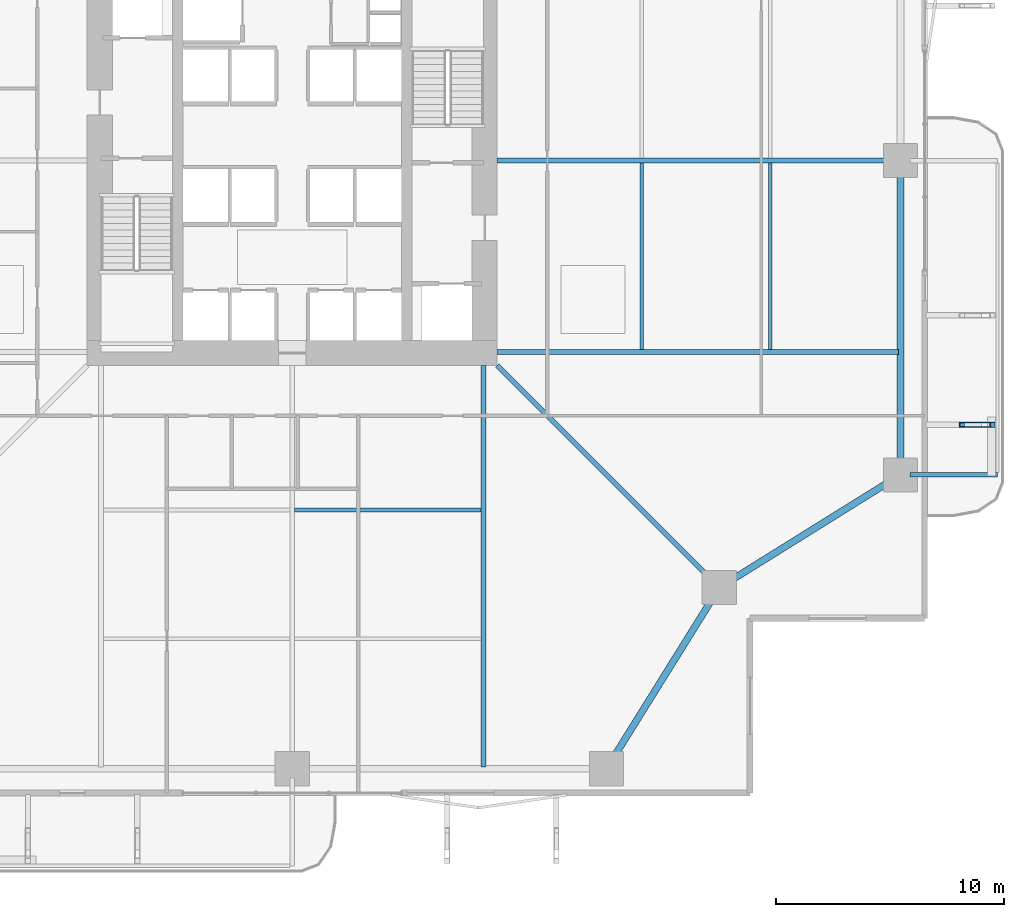
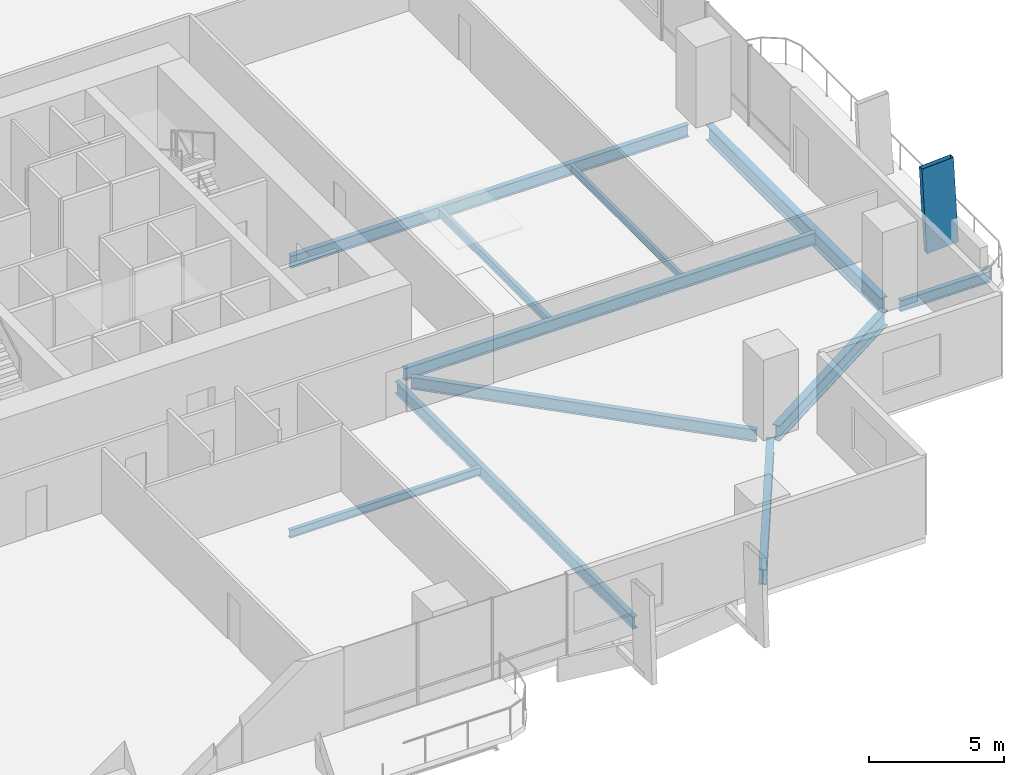
# One storey, part 7 of 23: 11 beams, 1 member.
"""IFC4 building model written with IfcOpenShell, lengths in metres."""

from ifc_helpers import new_model, si_unit, direction, frame, origin, origin_2d, place, context, subcontext, project, spatial, hollow_rectangle, i_section, extrude, material, material_profile, profile_set, type_object, element, save


model = new_model("IFC4")

# Units and contexts
model_context = context("Model", 3, precision=1e-05, world=origin(), true_north=direction((0.0, 1.0)))
body_context = subcontext(model_context, "Body", "Model", "MODEL_VIEW")
ifc_project = project(units=[si_unit("LENGTHUNIT", "METRE"), si_unit("AREAUNIT", "SQUARE_METRE"), si_unit("VOLUMEUNIT", "CUBIC_METRE"), si_unit("PLANEANGLEUNIT", "RADIAN"), si_unit("MASSUNIT", "GRAM", prefix="KILO")], contexts=[model_context])

# Site, building, storey
site_placement = place(None, origin())
site = spatial("IfcSite", under=ifc_project, at=site_placement, CompositionType="ELEMENT")
building_placement = place(site_placement, origin())
building = spatial("IfcBuilding", under=site, at=building_placement, Name="Belovzor Exchange Tower", CompositionType="ELEMENT")
storey_placement = place(building_placement, frame((0.0, 0.0, 53.39990234375)))
storey = spatial("IfcBuildingStorey", under=building, at=storey_placement, Name="L12", CompositionType="ELEMENT", Elevation=53.39990234375)

# Member
ifc_material_1 = material(Name="Extruded Architectural Terracotta on Steel S355 Carrier", Category="masonry")
ifc_material_profile_1 = material_profile(ifc_material_1, hollow_rectangle(XDim=0.219970703125, YDim=1.35009765625, WallThickness=0.013916015625, at=origin_2d()))
ifc_profile_set_1 = profile_set([ifc_material_profile_1], Name="Extruded Architectural Terracotta on Steel S355 Carrier")
member_type = type_object("IfcMemberType", Name="Base Arc Sweeping Terracotta Pylon Fin 1450", PredefinedType="USERDEFINED", material=ifc_profile_set_1)
member_placement = place(storey_placement, frame((58.97900390625, 17.199951171875, -0.25), z_axis=(-0.055314244803, 0.0, 0.998468995173), x_axis=(0.0, -1.0, 0.0)))
element("IfcMember", 1, at=member_placement, inside=storey, type_object=member_type, Name="FIN-TC145 Terracotta Facade Fin L12 E1", ObjectType="FIN", PredefinedType="USERDEFINED", context=body_context, shape_type="SweptSolid", body=[
    extrude(hollow_rectangle(XDim=0.219970703125, YDim=1.35009765625, WallThickness=0.013916015625, at=origin_2d()), origin(), (0.0, 0.0, 1.0), 3.906005859375),
])

# Beams
ifc_material_2 = material(Name="Steel S355", Category="steel")
ifc_material_profile_2 = material_profile(ifc_material_2, i_section(OverallWidth=0.199951171875, OverallDepth=0.5, WebThickness=0.01025390625, FlangeThickness=0.01611328125, at=origin_2d()))
ifc_profile_set_2 = profile_set([ifc_material_profile_2], Name="Steel S355")
beam_type_1 = type_object("IfcBeamType", Name="Planted Balcony Cantilever Beam IPE 500", PredefinedType="BEAM", material=ifc_profile_set_2)
beam_1_placement = place(storey_placement, frame((55.9130859375, 15.0, -0.5), z_axis=(1.0, 0.0, 0.0), x_axis=(0.0, 1.0, 0.0)))
element("IfcBeam", 2, at=beam_1_placement, inside=storey, type_object=beam_type_1, Name="BC-500 Planted Balcony Cantilever Beam IPE 500", PredefinedType="BEAM", context=body_context, shape_type="SweptSolid", body=[
    extrude(i_section(OverallWidth=0.199951171875, OverallDepth=0.5, WebThickness=0.01025390625, FlangeThickness=0.01611328125, at=origin_2d()), origin(), (0.0, 0.0, 1.0), 3.849853515625),
])
ifc_material_3 = material(Name="Steel S355", Category="steel")
ifc_material_profile_3 = material_profile(ifc_material_3, i_section(OverallWidth=0.169921875, OverallDepth=0.360107421875, WebThickness=0.008056640625, FlangeThickness=0.0126953125, at=origin_2d()))
ifc_profile_set_3 = profile_set([ifc_material_profile_3], Name="Steel S355")
beam_type_2 = type_object("IfcBeamType", Name="Secondary Infill Floor Joist IPE 360", PredefinedType="BEAM", material=ifc_profile_set_3)
beam_2_placement = place(storey_placement, frame((28.905029296875, 13.455078125, -0.429931640625), z_axis=(1.0, 0.0, 0.0), x_axis=(0.0, 1.0, 0.0)))
element("IfcBeam", 3, at=beam_2_placement, inside=storey, type_object=beam_type_2, Name="FJ-360 Secondary Infill Floor Joist IPE 360", PredefinedType="BEAM", context=body_context, shape_type="SweptSolid", body=[
    extrude(i_section(OverallWidth=0.169921875, OverallDepth=0.360107421875, WebThickness=0.008056640625, FlangeThickness=0.0126953125, at=origin_2d()), origin(), (0.0, 0.0, 1.0), 8.18994140625),
])
beam_3_placement = place(storey_placement, frame((44.14501953125, 20.5048828125, -0.429931640625), z_axis=(0.0, 1.0, 0.0), x_axis=(-1.0, 0.0, 0.0)))
element("IfcBeam", 4, at=beam_3_placement, inside=storey, type_object=beam_type_2, Name="FJ-360 Secondary Infill Floor Joist IPE 360", PredefinedType="BEAM", context=body_context, shape_type="SweptSolid", body=[
    extrude(i_section(OverallWidth=0.169921875, OverallDepth=0.360107421875, WebThickness=0.008056640625, FlangeThickness=0.0126953125, at=origin_2d()), origin(), (0.0, 0.0, 1.0), 8.190185546875),
])
ifc_material_4 = material(Name="Steel S355", Category="steel")
ifc_material_profile_4 = material_profile(ifc_material_4, i_section(OverallWidth=0.14990234375, OverallDepth=0.300048828125, WebThickness=0.007080078125, FlangeThickness=0.0107421875, at=origin_2d()))
ifc_profile_set_4 = profile_set([ifc_material_profile_4], Name="Steel S355")
beam_type_3 = type_object("IfcBeamType", Name="Secondary Trim Floor Joist IPE 300", PredefinedType="BEAM", material=ifc_profile_set_4)
beam_4_placement = place(storey_placement, frame((49.784912109375, 20.5048828125, -0.39990234375), z_axis=(0.0, 1.0, 0.0), x_axis=(-1.0, 0.0, 0.0)))
element("IfcBeam", 5, at=beam_4_placement, inside=storey, type_object=beam_type_3, Name="FJ-300 Secondary Trim Floor Joist IPE 300", PredefinedType="BEAM", context=body_context, shape_type="SweptSolid", body=[
    extrude(i_section(OverallWidth=0.14990234375, OverallDepth=0.300048828125, WebThickness=0.007080078125, FlangeThickness=0.0107421875, at=origin_2d()), origin(), (0.0, 0.0, 1.0), 8.190185546875),
])
ifc_material_5 = material(Name="Steel S355", Category="steel")
ifc_material_profile_5 = material_profile(ifc_material_5, i_section(OverallWidth=0.300048828125, OverallDepth=0.699951171875, WebThickness=0.01708984375, FlangeThickness=0.031982421875, at=origin_2d()))
ifc_profile_set_5 = profile_set([ifc_material_profile_5], Name="Steel S355")
beam_type_4 = type_object("IfcBeamType", Name="Zone 1 Primary Perimeter Girder HEB 700", PredefinedType="BEAM", material=ifc_profile_set_5)
for number, where, z_axis, x_axis, name in (
    (6, (42.818115234375, 2.449951171875, -0.599853515625), (0.528538629686, 0.848909251292, 0.0), (-0.848909251292, 0.528538629686, 0.0), "FG-Z1 Zone 1 Primary Perimeter Girder HEB 700"),
    (7, (47.89990234375, 10.26806640625, -0.599853515625), (0.848909251292, 0.528538629686, 0.0), (-0.528538629686, 0.848909251292, 0.0), "FG-Z1 Zone 1 Primary Perimeter Girder HEB 700"),
):
    element("IfcBeam", number, at=place(storey_placement, frame(where, z_axis=z_axis, x_axis=x_axis)), inside=storey, type_object=beam_type_4, Name=name, PredefinedType="BEAM", context=body_context, shape_type="SweptSolid", body=[
        extrude(i_section(OverallWidth=0.300048828125, OverallDepth=0.699951171875, WebThickness=0.01708984375, FlangeThickness=0.031982421875, at=origin_2d()), origin(), (0.0, 0.0, 1.0), 8.540283203125),
    ])
beam_5_placement = place(storey_placement, frame((55.5, 15.412109375, -0.599853515625), z_axis=(0.0, 1.0, 0.0), x_axis=(-1.0, 0.0, 0.0)))
element("IfcBeam", 8, at=beam_5_placement, inside=storey, type_object=beam_type_4, Name="FG-Z1 Zone 1 Primary Perimeter Girder HEB 700", PredefinedType="BEAM", context=body_context, shape_type="SweptSolid", body=[
    extrude(i_section(OverallWidth=0.300048828125, OverallDepth=0.699951171875, WebThickness=0.01708984375, FlangeThickness=0.031982421875, at=origin_2d()), origin(), (0.0, 0.0, 1.0), 12.974853515625),
])
ifc_material_6 = material(Name="Steel S355", Category="steel")
ifc_material_profile_6 = material_profile(ifc_material_6, i_section(OverallWidth=0.2099609375, OverallDepth=0.550048828125, WebThickness=0.010986328125, FlangeThickness=0.01708984375, at=origin_2d()))
ifc_profile_set_6 = profile_set([ifc_material_profile_6], Name="Steel S355")
beam_type_5 = type_object("IfcBeamType", Name="Zone 1 Radial Composite Floor Beam IPE 550", PredefinedType="BEAM", material=ifc_profile_set_6)
for number, where, z_axis, x_axis, name in (
    (9, (37.199951171875, 19.800048828125, -0.52490234375), (0.0, -1.0, 0.0), (1.0, 0.0, 0.0), "FB-550 Zone 1 Radial Composite Floor Beam IPE 550"),
    (10, (37.800048828125, 20.39990234375, -0.52490234375), (1.0, 0.0, 0.0), (0.0, 1.0, 0.0), "FB-550 Zone 1 Radial Composite Floor Beam IPE 550"),
):
    element("IfcBeam", number, at=place(storey_placement, frame(where, z_axis=z_axis, x_axis=x_axis)), inside=storey, type_object=beam_type_5, Name=name, PredefinedType="BEAM", context=body_context, shape_type="SweptSolid", body=[
        extrude(i_section(OverallWidth=0.2099609375, OverallDepth=0.550048828125, WebThickness=0.010986328125, FlangeThickness=0.01708984375, at=origin_2d()), origin(), (0.0, 0.0, 1.0), 17.625),
    ])
beam_6_placement = place(storey_placement, frame((37.800048828125, 28.800048828125, -0.52490234375), z_axis=(1.0, 0.0, 0.0), x_axis=(0.0, 1.0, 0.0)))
element("IfcBeam", 11, at=beam_6_placement, inside=storey, type_object=beam_type_5, Name="FB-550 Zone 1 Radial Composite Floor Beam IPE 550", PredefinedType="BEAM", context=body_context, shape_type="SweptSolid", body=[
    extrude(i_section(OverallWidth=0.2099609375, OverallDepth=0.550048828125, WebThickness=0.010986328125, FlangeThickness=0.01708984375, at=origin_2d()), origin(), (0.0, 0.0, 1.0), 17.0400390625),
])
beam_7_placement = place(storey_placement, frame((37.800048828125, 19.800048828125, -0.52490234375), z_axis=(0.707106781187, -0.707106781187, 0.0), x_axis=(0.707106781187, 0.707106781187, 0.0)))
element("IfcBeam", 12, at=beam_7_placement, inside=storey, type_object=beam_type_5, Name="FB-550 Zone 1 Radial Composite Floor Beam IPE 550", PredefinedType="BEAM", context=body_context, shape_type="SweptSolid", body=[
    extrude(i_section(OverallWidth=0.2099609375, OverallDepth=0.550048828125, WebThickness=0.010986328125, FlangeThickness=0.01708984375, at=origin_2d()), origin(), (0.0, 0.0, 1.0), 13.25830078125),
])

save(model, "model.ifc")
